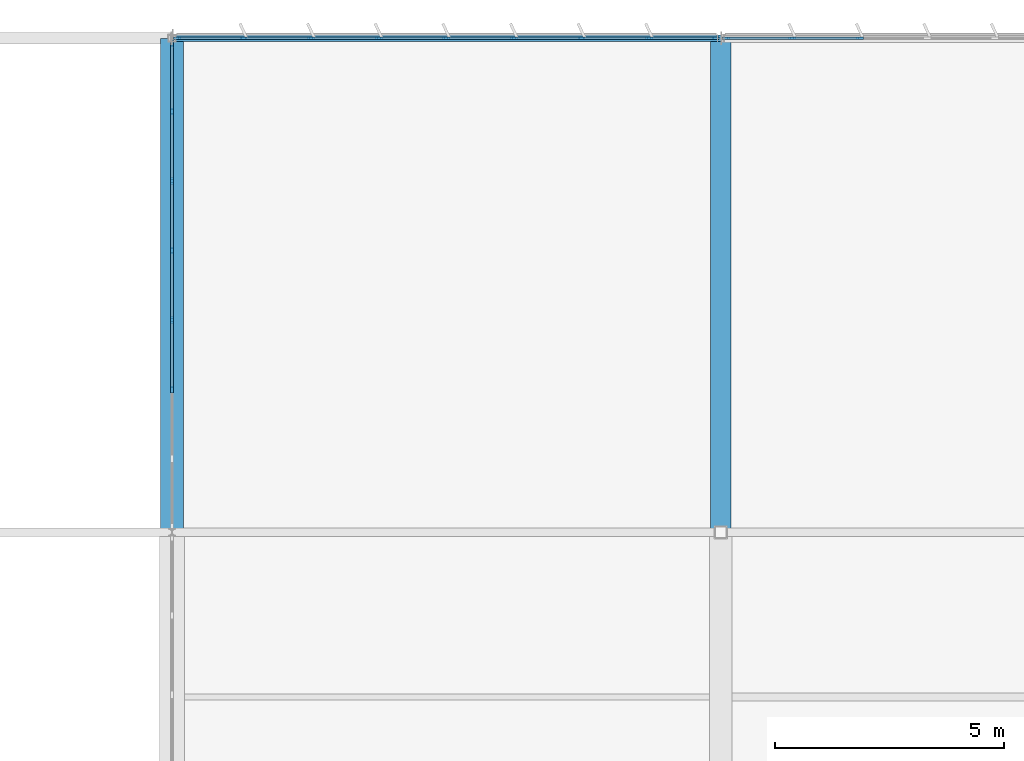
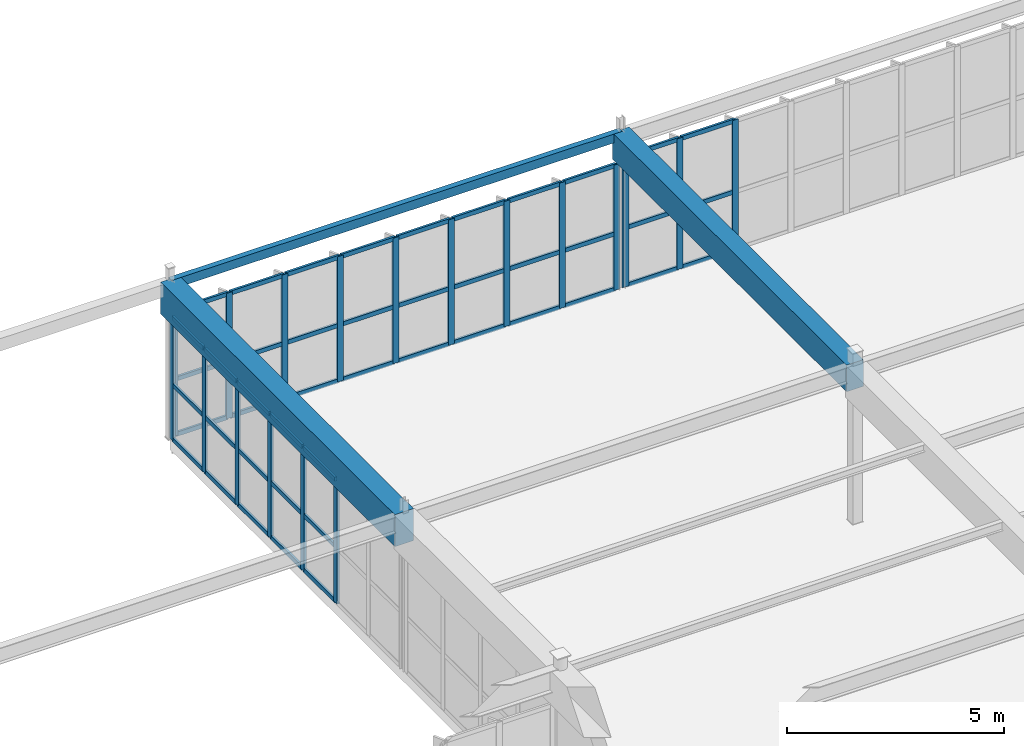
# One storey, part 107 of 186: 63 members, 3 beams, 3 elements without a shape of their own.
"""IFC4 building model written with IfcOpenShell, lengths in metres."""

from ifc_helpers import new_model, si_unit, direction, frame, origin, origin_2d, place, context, subcontext, project, spatial, rectangle, hollow_rectangle, extrude, material, layer, layer_set, material_profile, profile_set, type_object, element, aggregate, save


model = new_model("IFC4")

# Units and contexts
model_context = context("Model", 3, precision=1e-05, world=origin(), true_north=direction((0.0, 1.0)))
body_context = subcontext(model_context, "Body", "Model", "MODEL_VIEW")
ifc_project = project(units=[si_unit("LENGTHUNIT", "METRE"), si_unit("AREAUNIT", "SQUARE_METRE"), si_unit("VOLUMEUNIT", "CUBIC_METRE"), si_unit("PLANEANGLEUNIT", "RADIAN"), si_unit("MASSUNIT", "GRAM", prefix="KILO")], contexts=[model_context])

# Site, building, storey
site_placement = place(None, origin())
site = spatial("IfcSite", under=ifc_project, at=site_placement, CompositionType="ELEMENT")
building_placement = place(site_placement, origin())
building = spatial("IfcBuilding", under=site, at=building_placement, Name="Tarnwether General Hospital", CompositionType="ELEMENT")
storey_placement = place(building_placement, frame((0.0, 0.0, 9.60009765625)))
storey = spatial("IfcBuildingStorey", under=building, at=storey_placement, Name="L02", CompositionType="ELEMENT", Elevation=9.60009765625)

# Beams
ifc_material_1 = material(Name="Concrete 40 MPa", Category="concrete")
ifc_material_profile_1 = material_profile(ifc_material_1, rectangle(XDim=0.5, YDim=0.89990234375, at=origin_2d()), Name="RC-BM-500x900")
ifc_profile_set_1 = profile_set([ifc_material_profile_1], Name="Concrete 40 MPa")
beam_type_1 = type_object("IfcBeamType", Name="BM-G12", PredefinedType="BEAM", material=ifc_profile_set_1)
beam_1_placement = place(storey_placement, frame((144.0, 115.199951171875, 3.994873046875), z_axis=(0.0, 1.0, 0.0), x_axis=(-1.0, 0.0, 0.0)))
element("IfcBeam", 1, at=beam_1_placement, inside=storey, type_object=beam_type_1, Name="Primary Girder BMG-L02-14400_11520-14400_12600-1586", PredefinedType="BEAM", context=body_context, shape_type="SweptSolid", body=[
    extrude(rectangle(XDim=0.5, YDim=0.89990234375, at=origin_2d()), origin(), (0.0, 0.0, 1.0), 10.800048828125),
])
ifc_material_2 = material(Name="Concrete 40 MPa", Category="concrete")
ifc_material_profile_2 = material_profile(ifc_material_2, rectangle(XDim=0.449951171875, YDim=0.75, at=origin_2d()), Name="RC-BM-450x750")
ifc_profile_set_2 = profile_set([ifc_material_profile_2], Name="Concrete 40 MPa")
beam_type_2 = type_object("IfcBeamType", Name="BM-G13", PredefinedType="BEAM", material=ifc_profile_set_2)
beam_2_placement = place(storey_placement, frame((156.0, 115.199951171875, 4.06982421875), z_axis=(0.0, 1.0, 0.0), x_axis=(-1.0, 0.0, 0.0)))
element("IfcBeam", 2, at=beam_2_placement, inside=storey, type_object=beam_type_2, Name="Primary Girder BMG-L02-15600_11520-15600_12600-1604", PredefinedType="BEAM", context=body_context, shape_type="SweptSolid", body=[
    extrude(rectangle(XDim=0.449951171875, YDim=0.75, at=origin_2d()), origin(), (0.0, 0.0, 1.0), 10.800048828125),
])
ifc_material_3 = material(Name="Steel Grade C350L0 (350 MPa)", Category="steel")
ifc_material_profile_3 = material_profile(ifc_material_3, hollow_rectangle(XDim=0.14990234375, YDim=0.25, WallThickness=0.008056640625, at=origin_2d()), Name="RHS250x150x8")
ifc_profile_set_3 = profile_set([ifc_material_profile_3], Name="Steel Grade C350L0 (350 MPa)")
beam_type_3 = type_object("IfcBeamType", Name="BM-SP8", PredefinedType="SPANDREL", material=ifc_profile_set_3)
beam_3_placement = place(storey_placement, frame((144.0, 126.0, 4.31982421875), z_axis=(1.0, 0.0, 0.0), x_axis=(0.0, 1.0, 0.0)))
element("IfcBeam", 3, at=beam_3_placement, inside=storey, type_object=beam_type_3, Name="Primary Girder BMG-L02-14400_12600-15600_12600-1587", PredefinedType="SPANDREL", context=body_context, shape_type="SweptSolid", body=[
    extrude(hollow_rectangle(XDim=0.14990234375, YDim=0.25, WallThickness=0.008056640625, at=origin_2d()), origin(), (0.0, 0.0, 1.0), 12.0),
])

# Curtain wall, members
ifc_material_4 = material(Name="Anodised aluminium", Category="aluminium")
ifc_layer_1 = layer(ifc_material_4, 0.159912109375)
ifc_layer_set_1 = layer_set([ifc_layer_1], Name="Anodised aluminium")
curtain_wall_type_1 = type_object("IfcCurtainWallType", Name="CW-15", PredefinedType="NOTDEFINED", material=ifc_layer_set_1)
curtain_wall_1_placement = place(storey_placement, origin())
curtain_wall_1 = element("IfcCurtainWall", 4, at=curtain_wall_1_placement, inside=storey, type_object=curtain_wall_type_1, Name="Curtain Wall CWG-L02-1440_1153-0451", PredefinedType="NOTDEFINED")
ifc_material_5 = material(Name="Anodised aluminium", Category="aluminium")
ifc_material_profile_4 = material_profile(ifc_material_5, rectangle(XDim=0.06005859375, YDim=0.159912109375, at=origin_2d()), Name="ALU-MUL-60x160")
ifc_profile_set_4 = profile_set([ifc_material_profile_4], Name="Anodised aluminium")
member_type_1 = type_object("IfcMemberType", Name="CW-ML1", PredefinedType="MULLION", material=ifc_profile_set_4)
member_1_placement = place(storey_placement, frame((144.0, 118.322021484375, 0.0), z_axis=(0.0, 0.0, 1.0), x_axis=(-1.0, 0.0, 0.0)))
member_1 = element("IfcMember", 5, at=member_1_placement, type_object=member_type_1, Name="CW-15 mullion 3", PredefinedType="MULLION", context=body_context, shape_type="SweptSolid", body=[
    extrude(rectangle(XDim=0.06005859375, YDim=0.159912109375, at=origin_2d()), origin(), (0.0, 0.0, 1.0), 3.47998046875),
])
member_2_placement = place(storey_placement, frame((144.0, 119.841064453125, 0.0), z_axis=(0.0, 0.0, 1.0), x_axis=(-1.0, 0.0, 0.0)))
member_2 = element("IfcMember", 6, at=member_2_placement, type_object=member_type_1, Name="CW-15 mullion 4", PredefinedType="MULLION", context=body_context, shape_type="SweptSolid", body=[
    extrude(rectangle(XDim=0.06005859375, YDim=0.159912109375, at=origin_2d()), origin(), (0.0, 0.0, 1.0), 3.47998046875),
])
member_3_placement = place(storey_placement, frame((144.0, 121.360107421875, 0.0), z_axis=(0.0, 0.0, 1.0), x_axis=(-1.0, 0.0, 0.0)))
member_3 = element("IfcMember", 7, at=member_3_placement, type_object=member_type_1, Name="CW-15 mullion 5", PredefinedType="MULLION", context=body_context, shape_type="SweptSolid", body=[
    extrude(rectangle(XDim=0.06005859375, YDim=0.159912109375, at=origin_2d()), origin(), (0.0, 0.0, 1.0), 3.47998046875),
])
member_4_placement = place(storey_placement, frame((144.0, 122.87890625, 0.0), z_axis=(0.0, 0.0, 1.0), x_axis=(-1.0, 0.0, 0.0)))
member_4 = element("IfcMember", 8, at=member_4_placement, type_object=member_type_1, Name="CW-15 mullion 6", PredefinedType="MULLION", context=body_context, shape_type="SweptSolid", body=[
    extrude(rectangle(XDim=0.06005859375, YDim=0.159912109375, at=origin_2d()), origin(), (0.0, 0.0, 1.0), 3.47998046875),
])
member_5_placement = place(storey_placement, frame((144.0, 124.39794921875, 0.0), z_axis=(0.0, 0.0, 1.0), x_axis=(-1.0, 0.0, 0.0)))
member_5 = element("IfcMember", 9, at=member_5_placement, type_object=member_type_1, Name="CW-15 mullion 7", PredefinedType="MULLION", context=body_context, shape_type="SweptSolid", body=[
    extrude(rectangle(XDim=0.06005859375, YDim=0.159912109375, at=origin_2d()), origin(), (0.0, 0.0, 1.0), 3.47998046875),
])
member_6_placement = place(storey_placement, frame((144.0, 125.886962890625, 0.0), z_axis=(0.0, 0.0, 1.0), x_axis=(-1.0, 0.0, 0.0)))
member_6 = element("IfcMember", 10, at=member_6_placement, type_object=member_type_1, Name="CW-15 mullion 8", PredefinedType="MULLION", context=body_context, shape_type="SweptSolid", body=[
    extrude(rectangle(XDim=0.06005859375, YDim=0.159912109375, at=origin_2d()), origin(), (0.0, 0.0, 1.0), 3.47998046875),
])

ifc_material_6 = material(Name="Anodised aluminium", Category="aluminium")
ifc_layer_2 = layer(ifc_material_6, 0.159912109375)
ifc_layer_set_2 = layer_set([ifc_layer_2], Name="Anodised aluminium")
curtain_wall_type_2 = type_object("IfcCurtainWallType", Name="CW-16", PredefinedType="NOTDEFINED", material=ifc_layer_set_2)
curtain_wall_2_placement = place(storey_placement, origin())
curtain_wall_2 = element("IfcCurtainWall", 11, at=curtain_wall_2_placement, inside=storey, type_object=curtain_wall_type_2, Name="Curtain Wall CWG-L02-1441_1260-0462", PredefinedType="NOTDEFINED")
member_7_placement = place(storey_placement, frame((144.113037109375, 126.0, 0.0), z_axis=(0.0, 0.0, 1.0), x_axis=(0.0, 1.0, 0.0)))
member_7 = element("IfcMember", 12, at=member_7_placement, type_object=member_type_1, Name="CW-16 mullion 1", PredefinedType="MULLION", context=body_context, shape_type="SweptSolid", body=[
    extrude(rectangle(XDim=0.06005859375, YDim=0.159912109375, at=origin_2d()), origin(), (0.0, 0.0, 1.0), 3.52978515625),
])
member_8_placement = place(storey_placement, frame((145.561767578125, 126.0, 0.0), z_axis=(0.0, 0.0, 1.0), x_axis=(0.0, 1.0, 0.0)))
member_8 = element("IfcMember", 13, at=member_8_placement, type_object=member_type_1, Name="CW-16 mullion 2", PredefinedType="MULLION", context=body_context, shape_type="SweptSolid", body=[
    extrude(rectangle(XDim=0.06005859375, YDim=0.159912109375, at=origin_2d()), origin(), (0.0, 0.0, 1.0), 3.52978515625),
])
member_9_placement = place(storey_placement, frame((147.04052734375, 126.0, 0.0), z_axis=(0.0, 0.0, 1.0), x_axis=(0.0, 1.0, 0.0)))
member_9 = element("IfcMember", 14, at=member_9_placement, type_object=member_type_1, Name="CW-16 mullion 3", PredefinedType="MULLION", context=body_context, shape_type="SweptSolid", body=[
    extrude(rectangle(XDim=0.06005859375, YDim=0.159912109375, at=origin_2d()), origin(), (0.0, 0.0, 1.0), 3.52978515625),
])
member_10_placement = place(storey_placement, frame((148.519287109375, 126.0, 0.0), z_axis=(0.0, 0.0, 1.0), x_axis=(0.0, 1.0, 0.0)))
member_10 = element("IfcMember", 15, at=member_10_placement, type_object=member_type_1, Name="CW-16 mullion 4", PredefinedType="MULLION", context=body_context, shape_type="SweptSolid", body=[
    extrude(rectangle(XDim=0.06005859375, YDim=0.159912109375, at=origin_2d()), origin(), (0.0, 0.0, 1.0), 3.52978515625),
])
member_11_placement = place(storey_placement, frame((149.998046875, 126.0, 0.0), z_axis=(0.0, 0.0, 1.0), x_axis=(0.0, 1.0, 0.0)))
member_11 = element("IfcMember", 16, at=member_11_placement, type_object=member_type_1, Name="CW-16 mullion 5", PredefinedType="MULLION", context=body_context, shape_type="SweptSolid", body=[
    extrude(rectangle(XDim=0.06005859375, YDim=0.159912109375, at=origin_2d()), origin(), (0.0, 0.0, 1.0), 3.52978515625),
])
member_12_placement = place(storey_placement, frame((151.476806640625, 126.0, 0.0), z_axis=(0.0, 0.0, 1.0), x_axis=(0.0, 1.0, 0.0)))
member_12 = element("IfcMember", 17, at=member_12_placement, type_object=member_type_1, Name="CW-16 mullion 6", PredefinedType="MULLION", context=body_context, shape_type="SweptSolid", body=[
    extrude(rectangle(XDim=0.06005859375, YDim=0.159912109375, at=origin_2d()), origin(), (0.0, 0.0, 1.0), 3.52978515625),
])
member_13_placement = place(storey_placement, frame((152.95556640625, 126.0, 0.0), z_axis=(0.0, 0.0, 1.0), x_axis=(0.0, 1.0, 0.0)))
member_13 = element("IfcMember", 18, at=member_13_placement, type_object=member_type_1, Name="CW-16 mullion 7", PredefinedType="MULLION", context=body_context, shape_type="SweptSolid", body=[
    extrude(rectangle(XDim=0.06005859375, YDim=0.159912109375, at=origin_2d()), origin(), (0.0, 0.0, 1.0), 3.52978515625),
])
member_14_placement = place(storey_placement, frame((154.434326171875, 126.0, 0.0), z_axis=(0.0, 0.0, 1.0), x_axis=(0.0, 1.0, 0.0)))
member_14 = element("IfcMember", 19, at=member_14_placement, type_object=member_type_1, Name="CW-16 mullion 8", PredefinedType="MULLION", context=body_context, shape_type="SweptSolid", body=[
    extrude(rectangle(XDim=0.06005859375, YDim=0.159912109375, at=origin_2d()), origin(), (0.0, 0.0, 1.0), 3.52978515625),
])
member_15_placement = place(storey_placement, frame((155.883056640625, 126.0, 0.0), z_axis=(0.0, 0.0, 1.0), x_axis=(0.0, 1.0, 0.0)))
member_15 = element("IfcMember", 20, at=member_15_placement, type_object=member_type_1, Name="CW-16 mullion 9", PredefinedType="MULLION", context=body_context, shape_type="SweptSolid", body=[
    extrude(rectangle(XDim=0.06005859375, YDim=0.159912109375, at=origin_2d()), origin(), (0.0, 0.0, 1.0), 3.52978515625),
])

curtain_wall_3_placement = place(storey_placement, origin())
curtain_wall_3 = element("IfcCurtainWall", 21, at=curtain_wall_3_placement, inside=storey, type_object=curtain_wall_type_2, Name="Curtain Wall CWG-L02-1561_1260-0463", PredefinedType="NOTDEFINED")
member_16_placement = place(storey_placement, frame((156.116943359375, 126.0, 0.0), z_axis=(0.0, 0.0, 1.0), x_axis=(0.0, 1.0, 0.0)))
member_16 = element("IfcMember", 22, at=member_16_placement, type_object=member_type_1, Name="CW-16 mullion 1", PredefinedType="MULLION", context=body_context, shape_type="SweptSolid", body=[
    extrude(rectangle(XDim=0.06005859375, YDim=0.159912109375, at=origin_2d()), origin(), (0.0, 0.0, 1.0), 3.679931640625),
])
member_17_placement = place(storey_placement, frame((157.56298828125, 126.0, 0.0), z_axis=(0.0, 0.0, 1.0), x_axis=(0.0, 1.0, 0.0)))
member_17 = element("IfcMember", 23, at=member_17_placement, type_object=member_type_1, Name="CW-16 mullion 2", PredefinedType="MULLION", context=body_context, shape_type="SweptSolid", body=[
    extrude(rectangle(XDim=0.06005859375, YDim=0.159912109375, at=origin_2d()), origin(), (0.0, 0.0, 1.0), 3.679931640625),
])
member_18_placement = place(storey_placement, frame((159.0390625, 126.0, 0.0), z_axis=(0.0, 0.0, 1.0), x_axis=(0.0, 1.0, 0.0)))
member_18 = element("IfcMember", 24, at=member_18_placement, type_object=member_type_1, Name="CW-16 mullion 3", PredefinedType="MULLION", context=body_context, shape_type="SweptSolid", body=[
    extrude(rectangle(XDim=0.06005859375, YDim=0.159912109375, at=origin_2d()), origin(), (0.0, 0.0, 1.0), 3.679931640625),
])

# Member
ifc_material_7 = material(Name="Anodised aluminium", Category="aluminium")
ifc_material_profile_5 = material_profile(ifc_material_7, rectangle(XDim=0.06005859375, YDim=0.1201171875, at=origin_2d()), Name="ALU-TRN-60x120")
ifc_profile_set_5 = profile_set([ifc_material_profile_5], Name="Anodised aluminium")
member_type_2 = type_object("IfcMemberType", Name="CW-TR1", PredefinedType="USERDEFINED", material=ifc_profile_set_5)
member_19_placement = place(storey_placement, frame((144.0, 118.35205078125, 0.02978515625), z_axis=(0.0, 1.0, 0.0), x_axis=(-1.0, 0.0, 0.0)))
member_19 = element("IfcMember", 25, at=member_19_placement, type_object=member_type_2, Name="CW-15 transom 3.1", ObjectType="TRANSOM", PredefinedType="USERDEFINED", context=body_context, shape_type="SweptSolid", body=[
    extrude(rectangle(XDim=0.06005859375, YDim=0.1201171875, at=origin_2d()), origin(), (0.0, 0.0, 1.0), 1.458984375),
])

member_20_placement = place(storey_placement, frame((144.0, 118.35205078125, 1.56591796875), z_axis=(0.0, 1.0, 0.0), x_axis=(-1.0, 0.0, 0.0)))
member_20 = element("IfcMember", 26, at=member_20_placement, type_object=member_type_2, Name="CW-15 transom 3.2", ObjectType="TRANSOM", PredefinedType="USERDEFINED", context=body_context, shape_type="SweptSolid", body=[
    extrude(rectangle(XDim=0.06005859375, YDim=0.1201171875, at=origin_2d()), origin(), (0.0, 0.0, 1.0), 1.458984375),
])

member_21_placement = place(storey_placement, frame((144.0, 118.35205078125, 3.449951171875), z_axis=(0.0, 1.0, 0.0), x_axis=(-1.0, 0.0, 0.0)))
member_21 = element("IfcMember", 27, at=member_21_placement, type_object=member_type_2, Name="CW-15 transom 3.3", ObjectType="TRANSOM", PredefinedType="USERDEFINED", context=body_context, shape_type="SweptSolid", body=[
    extrude(rectangle(XDim=0.06005859375, YDim=0.1201171875, at=origin_2d()), origin(), (0.0, 0.0, 1.0), 1.458984375),
])

member_22_placement = place(storey_placement, frame((144.0, 119.87109375, 0.02978515625), z_axis=(0.0, 1.0, 0.0), x_axis=(-1.0, 0.0, 0.0)))
member_22 = element("IfcMember", 28, at=member_22_placement, type_object=member_type_2, Name="CW-15 transom 4.1", ObjectType="TRANSOM", PredefinedType="USERDEFINED", context=body_context, shape_type="SweptSolid", body=[
    extrude(rectangle(XDim=0.06005859375, YDim=0.1201171875, at=origin_2d()), origin(), (0.0, 0.0, 1.0), 1.458984375),
])

member_23_placement = place(storey_placement, frame((144.0, 119.87109375, 1.56591796875), z_axis=(0.0, 1.0, 0.0), x_axis=(-1.0, 0.0, 0.0)))
member_23 = element("IfcMember", 29, at=member_23_placement, type_object=member_type_2, Name="CW-15 transom 4.2", ObjectType="TRANSOM", PredefinedType="USERDEFINED", context=body_context, shape_type="SweptSolid", body=[
    extrude(rectangle(XDim=0.06005859375, YDim=0.1201171875, at=origin_2d()), origin(), (0.0, 0.0, 1.0), 1.458984375),
])

member_24_placement = place(storey_placement, frame((144.0, 119.87109375, 3.449951171875), z_axis=(0.0, 1.0, 0.0), x_axis=(-1.0, 0.0, 0.0)))
member_24 = element("IfcMember", 30, at=member_24_placement, type_object=member_type_2, Name="CW-15 transom 4.3", ObjectType="TRANSOM", PredefinedType="USERDEFINED", context=body_context, shape_type="SweptSolid", body=[
    extrude(rectangle(XDim=0.06005859375, YDim=0.1201171875, at=origin_2d()), origin(), (0.0, 0.0, 1.0), 1.458984375),
])

member_25_placement = place(storey_placement, frame((144.0, 121.389892578125, 0.02978515625), z_axis=(0.0, 1.0, 0.0), x_axis=(-1.0, 0.0, 0.0)))
member_25 = element("IfcMember", 31, at=member_25_placement, type_object=member_type_2, Name="CW-15 transom 5.1", ObjectType="TRANSOM", PredefinedType="USERDEFINED", context=body_context, shape_type="SweptSolid", body=[
    extrude(rectangle(XDim=0.06005859375, YDim=0.1201171875, at=origin_2d()), origin(), (0.0, 0.0, 1.0), 1.459228515625),
])

member_26_placement = place(storey_placement, frame((144.0, 121.389892578125, 1.56591796875), z_axis=(0.0, 1.0, 0.0), x_axis=(-1.0, 0.0, 0.0)))
member_26 = element("IfcMember", 32, at=member_26_placement, type_object=member_type_2, Name="CW-15 transom 5.2", ObjectType="TRANSOM", PredefinedType="USERDEFINED", context=body_context, shape_type="SweptSolid", body=[
    extrude(rectangle(XDim=0.06005859375, YDim=0.1201171875, at=origin_2d()), origin(), (0.0, 0.0, 1.0), 1.459228515625),
])

member_27_placement = place(storey_placement, frame((144.0, 121.389892578125, 3.449951171875), z_axis=(0.0, 1.0, 0.0), x_axis=(-1.0, 0.0, 0.0)))
member_27 = element("IfcMember", 33, at=member_27_placement, type_object=member_type_2, Name="CW-15 transom 5.3", ObjectType="TRANSOM", PredefinedType="USERDEFINED", context=body_context, shape_type="SweptSolid", body=[
    extrude(rectangle(XDim=0.06005859375, YDim=0.1201171875, at=origin_2d()), origin(), (0.0, 0.0, 1.0), 1.459228515625),
])

member_28_placement = place(storey_placement, frame((144.0, 122.908935546875, 0.02978515625), z_axis=(0.0, 1.0, 0.0), x_axis=(-1.0, 0.0, 0.0)))
member_28 = element("IfcMember", 34, at=member_28_placement, type_object=member_type_2, Name="CW-15 transom 6.1", ObjectType="TRANSOM", PredefinedType="USERDEFINED", context=body_context, shape_type="SweptSolid", body=[
    extrude(rectangle(XDim=0.06005859375, YDim=0.1201171875, at=origin_2d()), origin(), (0.0, 0.0, 1.0), 1.458984375),
])

member_29_placement = place(storey_placement, frame((144.0, 122.908935546875, 1.56591796875), z_axis=(0.0, 1.0, 0.0), x_axis=(-1.0, 0.0, 0.0)))
member_29 = element("IfcMember", 35, at=member_29_placement, type_object=member_type_2, Name="CW-15 transom 6.2", ObjectType="TRANSOM", PredefinedType="USERDEFINED", context=body_context, shape_type="SweptSolid", body=[
    extrude(rectangle(XDim=0.06005859375, YDim=0.1201171875, at=origin_2d()), origin(), (0.0, 0.0, 1.0), 1.458984375),
])

member_30_placement = place(storey_placement, frame((144.0, 122.908935546875, 3.449951171875), z_axis=(0.0, 1.0, 0.0), x_axis=(-1.0, 0.0, 0.0)))
member_30 = element("IfcMember", 36, at=member_30_placement, type_object=member_type_2, Name="CW-15 transom 6.3", ObjectType="TRANSOM", PredefinedType="USERDEFINED", context=body_context, shape_type="SweptSolid", body=[
    extrude(rectangle(XDim=0.06005859375, YDim=0.1201171875, at=origin_2d()), origin(), (0.0, 0.0, 1.0), 1.458984375),
])

member_31_placement = place(storey_placement, frame((144.0, 124.427978515625, 0.02978515625), z_axis=(0.0, 1.0, 0.0), x_axis=(-1.0, 0.0, 0.0)))
member_31 = element("IfcMember", 37, at=member_31_placement, type_object=member_type_2, Name="CW-15 transom 7.1", ObjectType="TRANSOM", PredefinedType="USERDEFINED", context=body_context, shape_type="SweptSolid", body=[
    extrude(rectangle(XDim=0.06005859375, YDim=0.1201171875, at=origin_2d()), origin(), (0.0, 0.0, 1.0), 1.428955078125),
])

member_32_placement = place(storey_placement, frame((144.0, 124.427978515625, 1.56591796875), z_axis=(0.0, 1.0, 0.0), x_axis=(-1.0, 0.0, 0.0)))
member_32 = element("IfcMember", 38, at=member_32_placement, type_object=member_type_2, Name="CW-15 transom 7.2", ObjectType="TRANSOM", PredefinedType="USERDEFINED", context=body_context, shape_type="SweptSolid", body=[
    extrude(rectangle(XDim=0.06005859375, YDim=0.1201171875, at=origin_2d()), origin(), (0.0, 0.0, 1.0), 1.428955078125),
])

member_33_placement = place(storey_placement, frame((144.0, 124.427978515625, 3.449951171875), z_axis=(0.0, 1.0, 0.0), x_axis=(-1.0, 0.0, 0.0)))
member_33 = element("IfcMember", 39, at=member_33_placement, type_object=member_type_2, Name="CW-15 transom 7.3", ObjectType="TRANSOM", PredefinedType="USERDEFINED", context=body_context, shape_type="SweptSolid", body=[
    extrude(rectangle(XDim=0.06005859375, YDim=0.1201171875, at=origin_2d()), origin(), (0.0, 0.0, 1.0), 1.428955078125),
])

aggregate(curtain_wall_1, [member_1, member_2, member_3, member_4, member_5, member_6, member_19, member_20, member_21, member_22, member_23, member_24, member_25, member_26, member_27, member_28, member_29, member_30, member_31, member_32, member_33])

member_34_placement = place(storey_placement, frame((144.14306640625, 126.0, 0.02978515625), z_axis=(1.0, 0.0, 0.0), x_axis=(0.0, 1.0, 0.0)))
member_34 = element("IfcMember", 40, at=member_34_placement, type_object=member_type_2, Name="CW-16 transom 1.1", ObjectType="TRANSOM", PredefinedType="USERDEFINED", context=body_context, shape_type="SweptSolid", body=[
    extrude(rectangle(XDim=0.06005859375, YDim=0.1201171875, at=origin_2d()), origin(), (0.0, 0.0, 1.0), 1.388671875),
])

member_35_placement = place(storey_placement, frame((144.14306640625, 126.0, 1.58837890625), z_axis=(1.0, 0.0, 0.0), x_axis=(0.0, 1.0, 0.0)))
member_35 = element("IfcMember", 41, at=member_35_placement, type_object=member_type_2, Name="CW-16 transom 1.2", ObjectType="TRANSOM", PredefinedType="USERDEFINED", context=body_context, shape_type="SweptSolid", body=[
    extrude(rectangle(XDim=0.06005859375, YDim=0.1201171875, at=origin_2d()), origin(), (0.0, 0.0, 1.0), 1.388671875),
])

member_36_placement = place(storey_placement, frame((144.14306640625, 126.0, 3.5), z_axis=(1.0, 0.0, 0.0), x_axis=(0.0, 1.0, 0.0)))
member_36 = element("IfcMember", 42, at=member_36_placement, type_object=member_type_2, Name="CW-16 transom 1.3", ObjectType="TRANSOM", PredefinedType="USERDEFINED", context=body_context, shape_type="SweptSolid", body=[
    extrude(rectangle(XDim=0.06005859375, YDim=0.1201171875, at=origin_2d()), origin(), (0.0, 0.0, 1.0), 1.388671875),
])

member_37_placement = place(storey_placement, frame((145.591796875, 126.0, 0.02978515625), z_axis=(1.0, 0.0, 0.0), x_axis=(0.0, 1.0, 0.0)))
member_37 = element("IfcMember", 43, at=member_37_placement, type_object=member_type_2, Name="CW-16 transom 2.1", ObjectType="TRANSOM", PredefinedType="USERDEFINED", context=body_context, shape_type="SweptSolid", body=[
    extrude(rectangle(XDim=0.06005859375, YDim=0.1201171875, at=origin_2d()), origin(), (0.0, 0.0, 1.0), 1.418701171875),
])

member_38_placement = place(storey_placement, frame((145.591796875, 126.0, 1.58837890625), z_axis=(1.0, 0.0, 0.0), x_axis=(0.0, 1.0, 0.0)))
member_38 = element("IfcMember", 44, at=member_38_placement, type_object=member_type_2, Name="CW-16 transom 2.2", ObjectType="TRANSOM", PredefinedType="USERDEFINED", context=body_context, shape_type="SweptSolid", body=[
    extrude(rectangle(XDim=0.06005859375, YDim=0.1201171875, at=origin_2d()), origin(), (0.0, 0.0, 1.0), 1.418701171875),
])

member_39_placement = place(storey_placement, frame((145.591796875, 126.0, 3.5), z_axis=(1.0, 0.0, 0.0), x_axis=(0.0, 1.0, 0.0)))
member_39 = element("IfcMember", 45, at=member_39_placement, type_object=member_type_2, Name="CW-16 transom 2.3", ObjectType="TRANSOM", PredefinedType="USERDEFINED", context=body_context, shape_type="SweptSolid", body=[
    extrude(rectangle(XDim=0.06005859375, YDim=0.1201171875, at=origin_2d()), origin(), (0.0, 0.0, 1.0), 1.418701171875),
])

member_40_placement = place(storey_placement, frame((147.070556640625, 126.0, 0.02978515625), z_axis=(1.0, 0.0, 0.0), x_axis=(0.0, 1.0, 0.0)))
member_40 = element("IfcMember", 46, at=member_40_placement, type_object=member_type_2, Name="CW-16 transom 3.1", ObjectType="TRANSOM", PredefinedType="USERDEFINED", context=body_context, shape_type="SweptSolid", body=[
    extrude(rectangle(XDim=0.06005859375, YDim=0.1201171875, at=origin_2d()), origin(), (0.0, 0.0, 1.0), 1.418701171875),
])

member_41_placement = place(storey_placement, frame((147.070556640625, 126.0, 1.58837890625), z_axis=(1.0, 0.0, 0.0), x_axis=(0.0, 1.0, 0.0)))
member_41 = element("IfcMember", 47, at=member_41_placement, type_object=member_type_2, Name="CW-16 transom 3.2", ObjectType="TRANSOM", PredefinedType="USERDEFINED", context=body_context, shape_type="SweptSolid", body=[
    extrude(rectangle(XDim=0.06005859375, YDim=0.1201171875, at=origin_2d()), origin(), (0.0, 0.0, 1.0), 1.418701171875),
])

member_42_placement = place(storey_placement, frame((147.070556640625, 126.0, 3.5), z_axis=(1.0, 0.0, 0.0), x_axis=(0.0, 1.0, 0.0)))
member_42 = element("IfcMember", 48, at=member_42_placement, type_object=member_type_2, Name="CW-16 transom 3.3", ObjectType="TRANSOM", PredefinedType="USERDEFINED", context=body_context, shape_type="SweptSolid", body=[
    extrude(rectangle(XDim=0.06005859375, YDim=0.1201171875, at=origin_2d()), origin(), (0.0, 0.0, 1.0), 1.418701171875),
])

member_43_placement = place(storey_placement, frame((148.54931640625, 126.0, 0.02978515625), z_axis=(1.0, 0.0, 0.0), x_axis=(0.0, 1.0, 0.0)))
member_43 = element("IfcMember", 49, at=member_43_placement, type_object=member_type_2, Name="CW-16 transom 4.1", ObjectType="TRANSOM", PredefinedType="USERDEFINED", context=body_context, shape_type="SweptSolid", body=[
    extrude(rectangle(XDim=0.06005859375, YDim=0.1201171875, at=origin_2d()), origin(), (0.0, 0.0, 1.0), 1.418701171875),
])

member_44_placement = place(storey_placement, frame((148.54931640625, 126.0, 1.58837890625), z_axis=(1.0, 0.0, 0.0), x_axis=(0.0, 1.0, 0.0)))
member_44 = element("IfcMember", 50, at=member_44_placement, type_object=member_type_2, Name="CW-16 transom 4.2", ObjectType="TRANSOM", PredefinedType="USERDEFINED", context=body_context, shape_type="SweptSolid", body=[
    extrude(rectangle(XDim=0.06005859375, YDim=0.1201171875, at=origin_2d()), origin(), (0.0, 0.0, 1.0), 1.418701171875),
])

member_45_placement = place(storey_placement, frame((148.54931640625, 126.0, 3.5), z_axis=(1.0, 0.0, 0.0), x_axis=(0.0, 1.0, 0.0)))
member_45 = element("IfcMember", 51, at=member_45_placement, type_object=member_type_2, Name="CW-16 transom 4.3", ObjectType="TRANSOM", PredefinedType="USERDEFINED", context=body_context, shape_type="SweptSolid", body=[
    extrude(rectangle(XDim=0.06005859375, YDim=0.1201171875, at=origin_2d()), origin(), (0.0, 0.0, 1.0), 1.418701171875),
])

member_46_placement = place(storey_placement, frame((150.028076171875, 126.0, 0.02978515625), z_axis=(1.0, 0.0, 0.0), x_axis=(0.0, 1.0, 0.0)))
member_46 = element("IfcMember", 52, at=member_46_placement, type_object=member_type_2, Name="CW-16 transom 5.1", ObjectType="TRANSOM", PredefinedType="USERDEFINED", context=body_context, shape_type="SweptSolid", body=[
    extrude(rectangle(XDim=0.06005859375, YDim=0.1201171875, at=origin_2d()), origin(), (0.0, 0.0, 1.0), 1.418701171875),
])

member_47_placement = place(storey_placement, frame((150.028076171875, 126.0, 1.58837890625), z_axis=(1.0, 0.0, 0.0), x_axis=(0.0, 1.0, 0.0)))
member_47 = element("IfcMember", 53, at=member_47_placement, type_object=member_type_2, Name="CW-16 transom 5.2", ObjectType="TRANSOM", PredefinedType="USERDEFINED", context=body_context, shape_type="SweptSolid", body=[
    extrude(rectangle(XDim=0.06005859375, YDim=0.1201171875, at=origin_2d()), origin(), (0.0, 0.0, 1.0), 1.418701171875),
])

member_48_placement = place(storey_placement, frame((150.028076171875, 126.0, 3.5), z_axis=(1.0, 0.0, 0.0), x_axis=(0.0, 1.0, 0.0)))
member_48 = element("IfcMember", 54, at=member_48_placement, type_object=member_type_2, Name="CW-16 transom 5.3", ObjectType="TRANSOM", PredefinedType="USERDEFINED", context=body_context, shape_type="SweptSolid", body=[
    extrude(rectangle(XDim=0.06005859375, YDim=0.1201171875, at=origin_2d()), origin(), (0.0, 0.0, 1.0), 1.418701171875),
])

member_49_placement = place(storey_placement, frame((151.5068359375, 126.0, 0.02978515625), z_axis=(1.0, 0.0, 0.0), x_axis=(0.0, 1.0, 0.0)))
member_49 = element("IfcMember", 55, at=member_49_placement, type_object=member_type_2, Name="CW-16 transom 6.1", ObjectType="TRANSOM", PredefinedType="USERDEFINED", context=body_context, shape_type="SweptSolid", body=[
    extrude(rectangle(XDim=0.06005859375, YDim=0.1201171875, at=origin_2d()), origin(), (0.0, 0.0, 1.0), 1.418701171875),
])

member_50_placement = place(storey_placement, frame((151.5068359375, 126.0, 1.58837890625), z_axis=(1.0, 0.0, 0.0), x_axis=(0.0, 1.0, 0.0)))
member_50 = element("IfcMember", 56, at=member_50_placement, type_object=member_type_2, Name="CW-16 transom 6.2", ObjectType="TRANSOM", PredefinedType="USERDEFINED", context=body_context, shape_type="SweptSolid", body=[
    extrude(rectangle(XDim=0.06005859375, YDim=0.1201171875, at=origin_2d()), origin(), (0.0, 0.0, 1.0), 1.418701171875),
])

member_51_placement = place(storey_placement, frame((151.5068359375, 126.0, 3.5), z_axis=(1.0, 0.0, 0.0), x_axis=(0.0, 1.0, 0.0)))
member_51 = element("IfcMember", 57, at=member_51_placement, type_object=member_type_2, Name="CW-16 transom 6.3", ObjectType="TRANSOM", PredefinedType="USERDEFINED", context=body_context, shape_type="SweptSolid", body=[
    extrude(rectangle(XDim=0.06005859375, YDim=0.1201171875, at=origin_2d()), origin(), (0.0, 0.0, 1.0), 1.418701171875),
])

member_52_placement = place(storey_placement, frame((152.985595703125, 126.0, 0.02978515625), z_axis=(1.0, 0.0, 0.0), x_axis=(0.0, 1.0, 0.0)))
member_52 = element("IfcMember", 58, at=member_52_placement, type_object=member_type_2, Name="CW-16 transom 7.1", ObjectType="TRANSOM", PredefinedType="USERDEFINED", context=body_context, shape_type="SweptSolid", body=[
    extrude(rectangle(XDim=0.06005859375, YDim=0.1201171875, at=origin_2d()), origin(), (0.0, 0.0, 1.0), 1.418701171875),
])

member_53_placement = place(storey_placement, frame((152.985595703125, 126.0, 1.58837890625), z_axis=(1.0, 0.0, 0.0), x_axis=(0.0, 1.0, 0.0)))
member_53 = element("IfcMember", 59, at=member_53_placement, type_object=member_type_2, Name="CW-16 transom 7.2", ObjectType="TRANSOM", PredefinedType="USERDEFINED", context=body_context, shape_type="SweptSolid", body=[
    extrude(rectangle(XDim=0.06005859375, YDim=0.1201171875, at=origin_2d()), origin(), (0.0, 0.0, 1.0), 1.418701171875),
])

member_54_placement = place(storey_placement, frame((152.985595703125, 126.0, 3.5), z_axis=(1.0, 0.0, 0.0), x_axis=(0.0, 1.0, 0.0)))
member_54 = element("IfcMember", 60, at=member_54_placement, type_object=member_type_2, Name="CW-16 transom 7.3", ObjectType="TRANSOM", PredefinedType="USERDEFINED", context=body_context, shape_type="SweptSolid", body=[
    extrude(rectangle(XDim=0.06005859375, YDim=0.1201171875, at=origin_2d()), origin(), (0.0, 0.0, 1.0), 1.418701171875),
])

member_55_placement = place(storey_placement, frame((154.46435546875, 126.0, 0.02978515625), z_axis=(1.0, 0.0, 0.0), x_axis=(0.0, 1.0, 0.0)))
member_55 = element("IfcMember", 61, at=member_55_placement, type_object=member_type_2, Name="CW-16 transom 8.1", ObjectType="TRANSOM", PredefinedType="USERDEFINED", context=body_context, shape_type="SweptSolid", body=[
    extrude(rectangle(XDim=0.06005859375, YDim=0.1201171875, at=origin_2d()), origin(), (0.0, 0.0, 1.0), 1.388671875),
])

member_56_placement = place(storey_placement, frame((154.46435546875, 126.0, 1.58837890625), z_axis=(1.0, 0.0, 0.0), x_axis=(0.0, 1.0, 0.0)))
member_56 = element("IfcMember", 62, at=member_56_placement, type_object=member_type_2, Name="CW-16 transom 8.2", ObjectType="TRANSOM", PredefinedType="USERDEFINED", context=body_context, shape_type="SweptSolid", body=[
    extrude(rectangle(XDim=0.06005859375, YDim=0.1201171875, at=origin_2d()), origin(), (0.0, 0.0, 1.0), 1.388671875),
])

member_57_placement = place(storey_placement, frame((154.46435546875, 126.0, 3.5), z_axis=(1.0, 0.0, 0.0), x_axis=(0.0, 1.0, 0.0)))
member_57 = element("IfcMember", 63, at=member_57_placement, type_object=member_type_2, Name="CW-16 transom 8.3", ObjectType="TRANSOM", PredefinedType="USERDEFINED", context=body_context, shape_type="SweptSolid", body=[
    extrude(rectangle(XDim=0.06005859375, YDim=0.1201171875, at=origin_2d()), origin(), (0.0, 0.0, 1.0), 1.388671875),
])

aggregate(curtain_wall_2, [member_7, member_8, member_9, member_10, member_11, member_12, member_13, member_14, member_15, member_34, member_35, member_36, member_37, member_38, member_39, member_40, member_41, member_42, member_43, member_44, member_45, member_46, member_47, member_48, member_49, member_50, member_51, member_52, member_53, member_54, member_55, member_56, member_57])

member_58_placement = place(storey_placement, frame((156.14697265625, 126.0, 0.02978515625), z_axis=(1.0, 0.0, 0.0), x_axis=(0.0, 1.0, 0.0)))
member_58 = element("IfcMember", 64, at=member_58_placement, type_object=member_type_2, Name="CW-16 transom 1.1", ObjectType="TRANSOM", PredefinedType="USERDEFINED", context=body_context, shape_type="SweptSolid", body=[
    extrude(rectangle(XDim=0.06005859375, YDim=0.1201171875, at=origin_2d()), origin(), (0.0, 0.0, 1.0), 1.385986328125),
])

member_59_placement = place(storey_placement, frame((156.14697265625, 126.0, 1.656005859375), z_axis=(1.0, 0.0, 0.0), x_axis=(0.0, 1.0, 0.0)))
member_59 = element("IfcMember", 65, at=member_59_placement, type_object=member_type_2, Name="CW-16 transom 1.2", ObjectType="TRANSOM", PredefinedType="USERDEFINED", context=body_context, shape_type="SweptSolid", body=[
    extrude(rectangle(XDim=0.06005859375, YDim=0.1201171875, at=origin_2d()), origin(), (0.0, 0.0, 1.0), 1.385986328125),
])

member_60_placement = place(storey_placement, frame((156.14697265625, 126.0, 3.64990234375), z_axis=(1.0, 0.0, 0.0), x_axis=(0.0, 1.0, 0.0)))
member_60 = element("IfcMember", 66, at=member_60_placement, type_object=member_type_2, Name="CW-16 transom 1.3", ObjectType="TRANSOM", PredefinedType="USERDEFINED", context=body_context, shape_type="SweptSolid", body=[
    extrude(rectangle(XDim=0.06005859375, YDim=0.1201171875, at=origin_2d()), origin(), (0.0, 0.0, 1.0), 1.385986328125),
])

member_61_placement = place(storey_placement, frame((157.593017578125, 126.0, 0.02978515625), z_axis=(1.0, 0.0, 0.0), x_axis=(0.0, 1.0, 0.0)))
member_61 = element("IfcMember", 67, at=member_61_placement, type_object=member_type_2, Name="CW-16 transom 2.1", ObjectType="TRANSOM", PredefinedType="USERDEFINED", context=body_context, shape_type="SweptSolid", body=[
    extrude(rectangle(XDim=0.06005859375, YDim=0.1201171875, at=origin_2d()), origin(), (0.0, 0.0, 1.0), 1.416015625),
])

member_62_placement = place(storey_placement, frame((157.593017578125, 126.0, 1.656005859375), z_axis=(1.0, 0.0, 0.0), x_axis=(0.0, 1.0, 0.0)))
member_62 = element("IfcMember", 68, at=member_62_placement, type_object=member_type_2, Name="CW-16 transom 2.2", ObjectType="TRANSOM", PredefinedType="USERDEFINED", context=body_context, shape_type="SweptSolid", body=[
    extrude(rectangle(XDim=0.06005859375, YDim=0.1201171875, at=origin_2d()), origin(), (0.0, 0.0, 1.0), 1.416015625),
])

member_63_placement = place(storey_placement, frame((157.593017578125, 126.0, 3.64990234375), z_axis=(1.0, 0.0, 0.0), x_axis=(0.0, 1.0, 0.0)))
member_63 = element("IfcMember", 69, at=member_63_placement, type_object=member_type_2, Name="CW-16 transom 2.3", ObjectType="TRANSOM", PredefinedType="USERDEFINED", context=body_context, shape_type="SweptSolid", body=[
    extrude(rectangle(XDim=0.06005859375, YDim=0.1201171875, at=origin_2d()), origin(), (0.0, 0.0, 1.0), 1.416015625),
])

aggregate(curtain_wall_3, [member_16, member_17, member_18, member_58, member_59, member_60, member_61, member_62, member_63])

save(model, "model.ifc")
